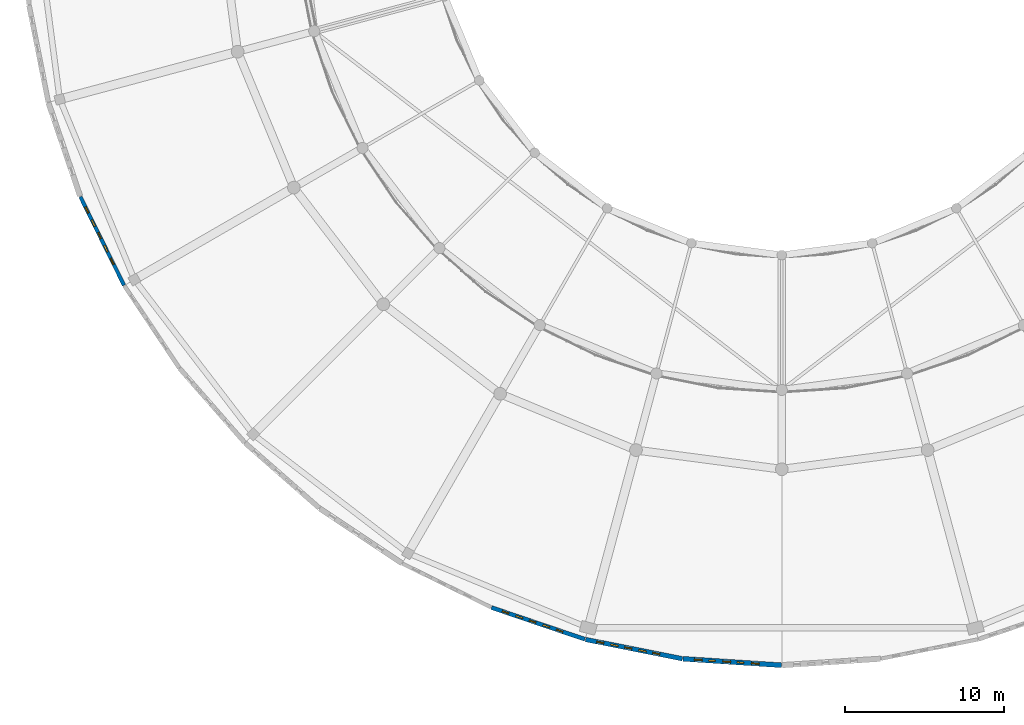
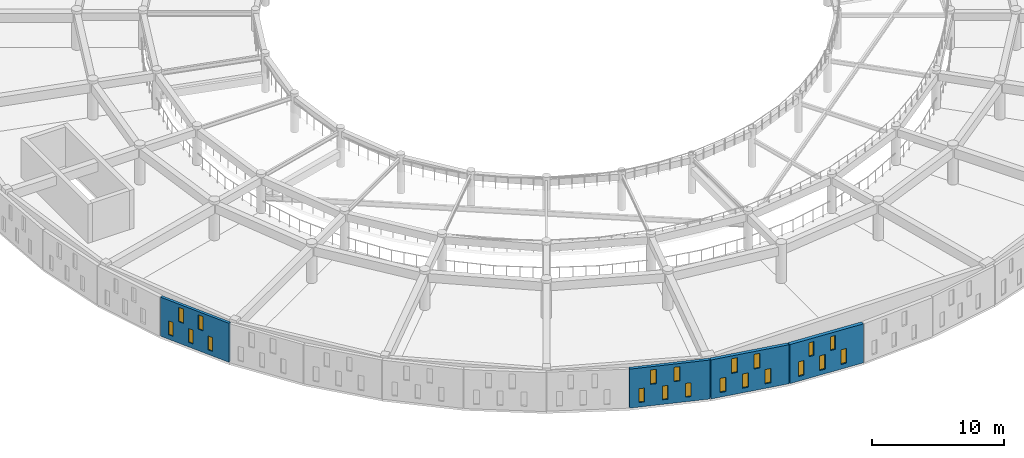
# One storey, part 105 of 155: 20 windows, 4 walls, 20 openings.
"""IFC4 building model written with IfcOpenShell, lengths in metres."""

from ifc_helpers import new_model, si_unit, direction, frame, frame_2d, origin, place, context, subcontext, project, spatial, rectangle, extrude, material, layer, layer_set, type_object, element, fill, save


model = new_model("IFC4")

# Units and contexts
model_context = context("Model", 3, precision=1e-05, world=origin(), true_north=direction((0.0, 1.0)))
body_context = subcontext(model_context, "Body", "Model", "MODEL_VIEW")
ifc_project = project(units=[si_unit("LENGTHUNIT", "METRE"), si_unit("AREAUNIT", "SQUARE_METRE"), si_unit("VOLUMEUNIT", "CUBIC_METRE"), si_unit("PLANEANGLEUNIT", "RADIAN"), si_unit("MASSUNIT", "GRAM", prefix="KILO")], contexts=[model_context])

# Site, building, storey
site_placement = place(None, origin())
site = spatial("IfcSite", under=ifc_project, at=site_placement, CompositionType="ELEMENT")
building_placement = place(site_placement, origin())
building = spatial("IfcBuilding", under=site, at=building_placement, Name="Larkveld Mobility Hub", CompositionType="ELEMENT")
storey_placement = place(building_placement, frame((0.0, 0.0, 8.39990234375)))
storey = spatial("IfcBuildingStorey", under=building, at=storey_placement, Name="L02", CompositionType="ELEMENT", Elevation=8.39990234375)

# Wall, openings, windows
ifc_material_1 = material(Name="Fired clay brick 25 MPa", Category="masonry")
ifc_layer_1 = layer(ifc_material_1, 0.22998046875, Name="Fired clay brick 25 MPa", Category="masonry")
ifc_layer_set_1 = layer_set([ifc_layer_1], Name="Fired clay brick 25 MPa")
wall_type_1 = type_object("IfcWallType", Name="WL-BRK-230", PredefinedType="USERDEFINED", material=ifc_layer_set_1)
wall_1_placement = place(storey_placement, frame((3.802978515625, 29.6669921875, 0.0), z_axis=(0.0, 0.0, 1.0), x_axis=(0.442316740488, -0.896858908126, 0.0)))
wall_1 = element("IfcWall", 1, at=wall_1_placement, inside=storey, type_object=wall_type_1, Name="Drum Woven Open-Bond Brick Chord L02-0118", ObjectType="PERFORATED BRICK SCREEN", PredefinedType="USERDEFINED", context=body_context, shape_type="SweptSolid", body=[
    extrude(rectangle(XDim=6.210693359375, YDim=0.22998046875, at=frame_2d((3.10546875, 0.0))), origin(), (0.0, 0.0, 1.0), 3.60009765625),
])
opening_1_placement = place(wall_1_placement, frame((0.719970703125, 0.0, 0.419921875)))
opening_1 = element("IfcOpeningElement", 2, at=opening_1_placement, cuts=wall_1, Name="Opening W01", PredefinedType="OPENING", context=body_context, shape_type="SweptSolid", body=[
    extrude(rectangle(XDim=0.419921875, YDim=1.280029296875, at=frame_2d((0.2099609375, 0.64013671875))), frame((0.0, 0.125, 0.0), z_axis=(0.0, -1.0, 0.0), x_axis=(1.0, 0.0, 0.0)), (0.0, 0.0, 1.0), 0.25),
])
opening_2_placement = place(wall_1_placement, frame((2.52001953125, 0.0, 0.419921875)))
opening_2 = element("IfcOpeningElement", 3, at=opening_2_placement, cuts=wall_1, Name="Opening W01", PredefinedType="OPENING", context=body_context, shape_type="SweptSolid", body=[
    extrude(rectangle(XDim=0.419921875, YDim=1.280029296875, at=frame_2d((0.2099609375, 0.64013671875))), frame((0.0, 0.125, 0.0), z_axis=(0.0, -1.0, 0.0), x_axis=(1.0, 0.0, 0.0)), (0.0, 0.0, 1.0), 0.25),
])
opening_3_placement = place(wall_1_placement, frame((4.320068359375, 0.0, 0.419921875)))
opening_3 = element("IfcOpeningElement", 4, at=opening_3_placement, cuts=wall_1, Name="Opening W01", PredefinedType="OPENING", context=body_context, shape_type="SweptSolid", body=[
    extrude(rectangle(XDim=0.419921875, YDim=1.280029296875, at=frame_2d((0.2099609375, 0.64013671875))), frame((0.0, 0.125, 0.0), z_axis=(0.0, -1.0, 0.0), x_axis=(1.0, 0.0, 0.0)), (0.0, 0.0, 1.0), 0.25),
])
opening_4_placement = place(wall_1_placement, frame((1.6201171875, 0.0, 1.97998046875)))
opening_4 = element("IfcOpeningElement", 5, at=opening_4_placement, cuts=wall_1, Name="Opening W02", PredefinedType="OPENING", context=body_context, shape_type="SweptSolid", body=[
    extrude(rectangle(XDim=0.449951171875, YDim=1.320068359375, at=frame_2d((0.22509765625, 0.66015625))), frame((0.0, 0.125, 0.0), z_axis=(0.0, -1.0, 0.0), x_axis=(1.0, 0.0, 0.0)), (0.0, 0.0, 1.0), 0.25),
])
opening_5_placement = place(wall_1_placement, frame((3.419921875, 0.0, 1.97998046875)))
opening_5 = element("IfcOpeningElement", 6, at=opening_5_placement, cuts=wall_1, Name="Opening W02", PredefinedType="OPENING", context=body_context, shape_type="SweptSolid", body=[
    extrude(rectangle(XDim=0.449951171875, YDim=1.320068359375, at=frame_2d((0.22509765625, 0.66015625))), frame((0.0, 0.125, 0.0), z_axis=(0.0, -1.0, 0.0), x_axis=(1.0, 0.0, 0.0)), (0.0, 0.0, 1.0), 0.25),
])
ifc_material_2 = material(Name="Extruded aluminium ventilation grille", Category="aluminium")
window_type_1 = type_object("IfcWindowType", Name="WN-VENT-01", PartitioningType="SINGLE_PANEL", PredefinedType="WINDOW", material=ifc_material_2)
window_1_placement = place(opening_1_placement, origin())
window_1 = element("IfcWindow", 7, at=window_1_placement, inside=storey, type_object=window_type_1, Name="Window W01 (0576)", OverallHeight=1.280029296875, OverallWidth=0.419921875, PartitioningType="SINGLE_PANEL", PredefinedType="WINDOW", context=body_context, shape_type="SweptSolid", body=[
    extrude(rectangle(XDim=0.419921875, YDim=1.280029296875, at=frame_2d((0.2099609375, 0.64013671875))), frame((0.0, 0.030029296875, 0.0), z_axis=(0.0, -1.0, 0.0), x_axis=(1.0, 0.0, 0.0)), (0.0, 0.0, 1.0), 0.06005859375),
])
fill(opening_1, window_1)
window_2_placement = place(opening_2_placement, origin())
window_2 = element("IfcWindow", 8, at=window_2_placement, inside=storey, type_object=window_type_1, Name="Window W01 (0577)", OverallHeight=1.280029296875, OverallWidth=0.419921875, PartitioningType="SINGLE_PANEL", PredefinedType="WINDOW", context=body_context, shape_type="SweptSolid", body=[
    extrude(rectangle(XDim=0.419921875, YDim=1.280029296875, at=frame_2d((0.2099609375, 0.64013671875))), frame((0.0, 0.030029296875, 0.0), z_axis=(0.0, -1.0, 0.0), x_axis=(1.0, 0.0, 0.0)), (0.0, 0.0, 1.0), 0.06005859375),
])
fill(opening_2, window_2)
window_3_placement = place(opening_3_placement, origin())
window_3 = element("IfcWindow", 9, at=window_3_placement, inside=storey, type_object=window_type_1, Name="Window W01 (0578)", OverallHeight=1.280029296875, OverallWidth=0.419921875, PartitioningType="SINGLE_PANEL", PredefinedType="WINDOW", context=body_context, shape_type="SweptSolid", body=[
    extrude(rectangle(XDim=0.419921875, YDim=1.280029296875, at=frame_2d((0.2099609375, 0.64013671875))), frame((0.0, 0.030029296875, 0.0), z_axis=(0.0, -1.0, 0.0), x_axis=(1.0, 0.0, 0.0)), (0.0, 0.0, 1.0), 0.06005859375),
])
fill(opening_3, window_3)
window_type_2 = type_object("IfcWindowType", Name="WN-VENT-02", PartitioningType="SINGLE_PANEL", PredefinedType="WINDOW", material=ifc_material_2)
window_4_placement = place(opening_4_placement, origin())
window_4 = element("IfcWindow", 10, at=window_4_placement, inside=storey, type_object=window_type_2, Name="Window W02 (0579)", OverallHeight=1.320068359375, OverallWidth=0.449951171875, PartitioningType="SINGLE_PANEL", PredefinedType="WINDOW", context=body_context, shape_type="SweptSolid", body=[
    extrude(rectangle(XDim=0.449951171875, YDim=1.320068359375, at=frame_2d((0.22509765625, 0.66015625))), frame((0.0, 0.030029296875, 0.0), z_axis=(0.0, -1.0, 0.0), x_axis=(1.0, 0.0, 0.0)), (0.0, 0.0, 1.0), 0.06005859375),
])
fill(opening_4, window_4)
window_5_placement = place(opening_5_placement, origin())
window_5 = element("IfcWindow", 11, at=window_5_placement, inside=storey, type_object=window_type_2, Name="Window W02 (0580)", OverallHeight=1.320068359375, OverallWidth=0.449951171875, PartitioningType="SINGLE_PANEL", PredefinedType="WINDOW", context=body_context, shape_type="SweptSolid", body=[
    extrude(rectangle(XDim=0.449951171875, YDim=1.320068359375, at=frame_2d((0.22509765625, 0.66015625))), frame((0.0, 0.030029296875, 0.0), z_axis=(0.0, -1.0, 0.0), x_axis=(1.0, 0.0, 0.0)), (0.0, 0.0, 1.0), 0.06005859375),
])
fill(opening_5, window_5)

ifc_layer_2 = layer(ifc_material_1, 0.260009765625, Name="Fired clay brick 25 MPa", Category="masonry")
ifc_layer_set_2 = layer_set([ifc_layer_2], Name="Fired clay brick 25 MPa")
wall_type_2 = type_object("IfcWallType", Name="WL-BRK-260", PredefinedType="USERDEFINED", material=ifc_layer_set_2)
wall_2_placement = place(storey_placement, frame((29.7119140625, 3.783935546875, 0.0), z_axis=(0.0, 0.0, 1.0), x_axis=(0.946955417172, -0.321364960579, 0.0)))
wall_2 = element("IfcWall", 12, at=wall_2_placement, inside=storey, type_object=wall_type_2, Name="Drum Woven Open-Bond Brick Chord L02-0124", ObjectType="PERFORATED BRICK SCREEN", PredefinedType="USERDEFINED", context=body_context, shape_type="SweptSolid", body=[
    extrude(rectangle(XDim=6.21044921875, YDim=0.260009765625, at=frame_2d((3.105224609375, 0.0))), origin(), (0.0, 0.0, 1.0), 3.60009765625),
])
opening_6_placement = place(wall_2_placement, frame((0.719970703125, 0.0, 0.419921875)))
opening_6 = element("IfcOpeningElement", 13, at=opening_6_placement, cuts=wall_2, Name="Opening W01", PredefinedType="OPENING", context=body_context, shape_type="SweptSolid", body=[
    extrude(rectangle(XDim=0.419921875, YDim=1.280029296875, at=frame_2d((0.2099609375, 0.64013671875))), frame((0.0, 0.14013671875, 0.0), z_axis=(0.0, -1.0, 0.0), x_axis=(1.0, 0.0, 0.0)), (0.0, 0.0, 1.0), 0.280029296875),
])
opening_7_placement = place(wall_2_placement, frame((2.52001953125, 0.0, 0.419921875)))
opening_7 = element("IfcOpeningElement", 14, at=opening_7_placement, cuts=wall_2, Name="Opening W01", PredefinedType="OPENING", context=body_context, shape_type="SweptSolid", body=[
    extrude(rectangle(XDim=0.419921875, YDim=1.280029296875, at=frame_2d((0.2099609375, 0.64013671875))), frame((0.0, 0.14013671875, 0.0), z_axis=(0.0, -1.0, 0.0), x_axis=(1.0, 0.0, 0.0)), (0.0, 0.0, 1.0), 0.280029296875),
])
opening_8_placement = place(wall_2_placement, frame((4.320068359375, 0.0, 0.419921875)))
opening_8 = element("IfcOpeningElement", 15, at=opening_8_placement, cuts=wall_2, Name="Opening W01", PredefinedType="OPENING", context=body_context, shape_type="SweptSolid", body=[
    extrude(rectangle(XDim=0.419921875, YDim=1.280029296875, at=frame_2d((0.2099609375, 0.64013671875))), frame((0.0, 0.14013671875, 0.0), z_axis=(0.0, -1.0, 0.0), x_axis=(1.0, 0.0, 0.0)), (0.0, 0.0, 1.0), 0.280029296875),
])
opening_9_placement = place(wall_2_placement, frame((1.6201171875, 0.0, 1.97998046875)))
opening_9 = element("IfcOpeningElement", 16, at=opening_9_placement, cuts=wall_2, Name="Opening W02", PredefinedType="OPENING", context=body_context, shape_type="SweptSolid", body=[
    extrude(rectangle(XDim=0.449951171875, YDim=1.320068359375, at=frame_2d((0.22509765625, 0.66015625))), frame((0.0, 0.14013671875, 0.0), z_axis=(0.0, -1.0, 0.0), x_axis=(1.0, 0.0, 0.0)), (0.0, 0.0, 1.0), 0.280029296875),
])
opening_10_placement = place(wall_2_placement, frame((3.419921875, 0.0, 1.97998046875)))
opening_10 = element("IfcOpeningElement", 17, at=opening_10_placement, cuts=wall_2, Name="Opening W02", PredefinedType="OPENING", context=body_context, shape_type="SweptSolid", body=[
    extrude(rectangle(XDim=0.449951171875, YDim=1.320068359375, at=frame_2d((0.22509765625, 0.66015625))), frame((0.0, 0.14013671875, 0.0), z_axis=(0.0, -1.0, 0.0), x_axis=(1.0, 0.0, 0.0)), (0.0, 0.0, 1.0), 0.280029296875),
])
window_6_placement = place(opening_6_placement, origin())
window_6 = element("IfcWindow", 18, at=window_6_placement, inside=storey, type_object=window_type_1, Name="Window W01 (0606)", OverallHeight=1.280029296875, OverallWidth=0.419921875, PartitioningType="SINGLE_PANEL", PredefinedType="WINDOW", context=body_context, shape_type="SweptSolid", body=[
    extrude(rectangle(XDim=0.419921875, YDim=1.280029296875, at=frame_2d((0.2099609375, 0.64013671875))), frame((0.0, 0.030029296875, 0.0), z_axis=(0.0, -1.0, 0.0), x_axis=(1.0, 0.0, 0.0)), (0.0, 0.0, 1.0), 0.06005859375),
])
fill(opening_6, window_6)
window_7_placement = place(opening_7_placement, origin())
window_7 = element("IfcWindow", 19, at=window_7_placement, inside=storey, type_object=window_type_1, Name="Window W01 (0607)", OverallHeight=1.280029296875, OverallWidth=0.419921875, PartitioningType="SINGLE_PANEL", PredefinedType="WINDOW", context=body_context, shape_type="SweptSolid", body=[
    extrude(rectangle(XDim=0.419921875, YDim=1.280029296875, at=frame_2d((0.2099609375, 0.64013671875))), frame((0.0, 0.030029296875, 0.0), z_axis=(0.0, -1.0, 0.0), x_axis=(1.0, 0.0, 0.0)), (0.0, 0.0, 1.0), 0.06005859375),
])
fill(opening_7, window_7)
window_8_placement = place(opening_8_placement, origin())
window_8 = element("IfcWindow", 20, at=window_8_placement, inside=storey, type_object=window_type_1, Name="Window W01 (0608)", OverallHeight=1.280029296875, OverallWidth=0.419921875, PartitioningType="SINGLE_PANEL", PredefinedType="WINDOW", context=body_context, shape_type="SweptSolid", body=[
    extrude(rectangle(XDim=0.419921875, YDim=1.280029296875, at=frame_2d((0.2099609375, 0.64013671875))), frame((0.0, 0.030029296875, 0.0), z_axis=(0.0, -1.0, 0.0), x_axis=(1.0, 0.0, 0.0)), (0.0, 0.0, 1.0), 0.06005859375),
])
fill(opening_8, window_8)
window_9_placement = place(opening_9_placement, origin())
window_9 = element("IfcWindow", 21, at=window_9_placement, inside=storey, type_object=window_type_2, Name="Window W02 (0609)", OverallHeight=1.320068359375, OverallWidth=0.449951171875, PartitioningType="SINGLE_PANEL", PredefinedType="WINDOW", context=body_context, shape_type="SweptSolid", body=[
    extrude(rectangle(XDim=0.449951171875, YDim=1.320068359375, at=frame_2d((0.22509765625, 0.66015625))), frame((0.0, 0.030029296875, 0.0), z_axis=(0.0, -1.0, 0.0), x_axis=(1.0, 0.0, 0.0)), (0.0, 0.0, 1.0), 0.06005859375),
])
fill(opening_9, window_9)
window_10_placement = place(opening_10_placement, origin())
window_10 = element("IfcWindow", 22, at=window_10_placement, inside=storey, type_object=window_type_2, Name="Window W02 (0610)", OverallHeight=1.320068359375, OverallWidth=0.449951171875, PartitioningType="SINGLE_PANEL", PredefinedType="WINDOW", context=body_context, shape_type="SweptSolid", body=[
    extrude(rectangle(XDim=0.449951171875, YDim=1.320068359375, at=frame_2d((0.22509765625, 0.66015625))), frame((0.0, 0.030029296875, 0.0), z_axis=(0.0, -1.0, 0.0), x_axis=(1.0, 0.0, 0.0)), (0.0, 0.0, 1.0), 0.06005859375),
])
fill(opening_10, window_10)

ifc_layer_3 = layer(ifc_material_1, 0.2900390625, Name="Fired clay brick 25 MPa", Category="masonry")
ifc_layer_set_3 = layer_set([ifc_layer_3], Name="Fired clay brick 25 MPa")
wall_type_3 = type_object("IfcWallType", Name="WL-BRK-290", PredefinedType="USERDEFINED", material=ifc_layer_set_3)
wall_3_placement = place(storey_placement, frame((35.639892578125, 1.77490234375, 0.0), z_axis=(0.0, 0.0, 1.0), x_axis=(0.980799338869, -0.195019632022, 0.0)))
wall_3 = element("IfcWall", 23, at=wall_3_placement, inside=storey, type_object=wall_type_3, Name="Drum Woven Open-Bond Brick Chord L02-0125", ObjectType="PERFORATED BRICK SCREEN", PredefinedType="USERDEFINED", context=body_context, shape_type="SweptSolid", body=[
    extrude(rectangle(XDim=6.209228515625, YDim=0.2900390625, at=frame_2d((3.1044921875, 0.0))), origin(), (0.0, 0.0, 1.0), 3.60009765625),
])
opening_11_placement = place(wall_3_placement, frame((0.719970703125, 0.0, 0.419921875)))
opening_11 = element("IfcOpeningElement", 24, at=opening_11_placement, cuts=wall_3, Name="Opening W02", PredefinedType="OPENING", context=body_context, shape_type="SweptSolid", body=[
    extrude(rectangle(XDim=0.449951171875, YDim=1.320068359375, at=frame_2d((0.22509765625, 0.66015625))), frame((0.0, 0.155029296875, 0.0), z_axis=(0.0, -1.0, 0.0), x_axis=(1.0, 0.0, 0.0)), (0.0, 0.0, 1.0), 0.31005859375),
])
opening_12_placement = place(wall_3_placement, frame((2.52001953125, 0.0, 0.419921875)))
opening_12 = element("IfcOpeningElement", 25, at=opening_12_placement, cuts=wall_3, Name="Opening W02", PredefinedType="OPENING", context=body_context, shape_type="SweptSolid", body=[
    extrude(rectangle(XDim=0.449951171875, YDim=1.320068359375, at=frame_2d((0.22509765625, 0.66015625))), frame((0.0, 0.155029296875, 0.0), z_axis=(0.0, -1.0, 0.0), x_axis=(1.0, 0.0, 0.0)), (0.0, 0.0, 1.0), 0.31005859375),
])
opening_13_placement = place(wall_3_placement, frame((4.320068359375, 0.0, 0.419921875)))
opening_13 = element("IfcOpeningElement", 26, at=opening_13_placement, cuts=wall_3, Name="Opening W02", PredefinedType="OPENING", context=body_context, shape_type="SweptSolid", body=[
    extrude(rectangle(XDim=0.449951171875, YDim=1.320068359375, at=frame_2d((0.22509765625, 0.66015625))), frame((0.0, 0.155029296875, 0.0), z_axis=(0.0, -1.0, 0.0), x_axis=(1.0, 0.0, 0.0)), (0.0, 0.0, 1.0), 0.31005859375),
])
opening_14_placement = place(wall_3_placement, frame((1.6201171875, 0.0, 1.97998046875)))
opening_14 = element("IfcOpeningElement", 27, at=opening_14_placement, cuts=wall_3, Name="Opening W03", PredefinedType="OPENING", context=body_context, shape_type="SweptSolid", body=[
    extrude(rectangle(XDim=0.47998046875, YDim=1.360107421875, at=frame_2d((0.239990234375, 0.68017578125))), frame((0.0, 0.155029296875, 0.0), z_axis=(0.0, -1.0, 0.0), x_axis=(1.0, 0.0, 0.0)), (0.0, 0.0, 1.0), 0.31005859375),
])
opening_15_placement = place(wall_3_placement, frame((3.419921875, 0.0, 1.97998046875)))
opening_15 = element("IfcOpeningElement", 28, at=opening_15_placement, cuts=wall_3, Name="Opening W03", PredefinedType="OPENING", context=body_context, shape_type="SweptSolid", body=[
    extrude(rectangle(XDim=0.47998046875, YDim=1.360107421875, at=frame_2d((0.239990234375, 0.68017578125))), frame((0.0, 0.155029296875, 0.0), z_axis=(0.0, -1.0, 0.0), x_axis=(1.0, 0.0, 0.0)), (0.0, 0.0, 1.0), 0.31005859375),
])
window_11_placement = place(opening_11_placement, origin())
window_11 = element("IfcWindow", 29, at=window_11_placement, inside=storey, type_object=window_type_2, Name="Window W02 (0611)", OverallHeight=1.320068359375, OverallWidth=0.449951171875, PartitioningType="SINGLE_PANEL", PredefinedType="WINDOW", context=body_context, shape_type="SweptSolid", body=[
    extrude(rectangle(XDim=0.449951171875, YDim=1.320068359375, at=frame_2d((0.22509765625, 0.66015625))), frame((0.0, 0.030029296875, 0.0), z_axis=(0.0, -1.0, 0.0), x_axis=(1.0, 0.0, 0.0)), (0.0, 0.0, 1.0), 0.06005859375),
])
fill(opening_11, window_11)
window_12_placement = place(opening_12_placement, origin())
window_12 = element("IfcWindow", 30, at=window_12_placement, inside=storey, type_object=window_type_2, Name="Window W02 (0612)", OverallHeight=1.320068359375, OverallWidth=0.449951171875, PartitioningType="SINGLE_PANEL", PredefinedType="WINDOW", context=body_context, shape_type="SweptSolid", body=[
    extrude(rectangle(XDim=0.449951171875, YDim=1.320068359375, at=frame_2d((0.22509765625, 0.66015625))), frame((0.0, 0.030029296875, 0.0), z_axis=(0.0, -1.0, 0.0), x_axis=(1.0, 0.0, 0.0)), (0.0, 0.0, 1.0), 0.06005859375),
])
fill(opening_12, window_12)
window_13_placement = place(opening_13_placement, origin())
window_13 = element("IfcWindow", 31, at=window_13_placement, inside=storey, type_object=window_type_2, Name="Window W02 (0613)", OverallHeight=1.320068359375, OverallWidth=0.449951171875, PartitioningType="SINGLE_PANEL", PredefinedType="WINDOW", context=body_context, shape_type="SweptSolid", body=[
    extrude(rectangle(XDim=0.449951171875, YDim=1.320068359375, at=frame_2d((0.22509765625, 0.66015625))), frame((0.0, 0.030029296875, 0.0), z_axis=(0.0, -1.0, 0.0), x_axis=(1.0, 0.0, 0.0)), (0.0, 0.0, 1.0), 0.06005859375),
])
fill(opening_13, window_13)
window_type_3 = type_object("IfcWindowType", Name="WN-VENT-03", PartitioningType="SINGLE_PANEL", PredefinedType="WINDOW", material=ifc_material_2)
window_14_placement = place(opening_14_placement, origin())
window_14 = element("IfcWindow", 32, at=window_14_placement, inside=storey, type_object=window_type_3, Name="Window W03 (0614)", OverallHeight=1.360107421875, OverallWidth=0.47998046875, PartitioningType="SINGLE_PANEL", PredefinedType="WINDOW", context=body_context, shape_type="SweptSolid", body=[
    extrude(rectangle(XDim=0.47998046875, YDim=1.360107421875, at=frame_2d((0.239990234375, 0.68017578125))), frame((0.0, 0.030029296875, 0.0), z_axis=(0.0, -1.0, 0.0), x_axis=(1.0, 0.0, 0.0)), (0.0, 0.0, 1.0), 0.06005859375),
])
fill(opening_14, window_14)
window_15_placement = place(opening_15_placement, origin())
window_15 = element("IfcWindow", 33, at=window_15_placement, inside=storey, type_object=window_type_3, Name="Window W03 (0615)", OverallHeight=1.360107421875, OverallWidth=0.47998046875, PartitioningType="SINGLE_PANEL", PredefinedType="WINDOW", context=body_context, shape_type="SweptSolid", body=[
    extrude(rectangle(XDim=0.47998046875, YDim=1.360107421875, at=frame_2d((0.239990234375, 0.68017578125))), frame((0.0, 0.030029296875, 0.0), z_axis=(0.0, -1.0, 0.0), x_axis=(1.0, 0.0, 0.0)), (0.0, 0.0, 1.0), 0.06005859375),
])
fill(opening_15, window_15)

ifc_layer_4 = layer(ifc_material_1, 0.31005859375, Name="Fired clay brick 25 MPa", Category="masonry")
ifc_layer_set_4 = layer_set([ifc_layer_4], Name="Fired clay brick 25 MPa")
wall_type_4 = type_object("IfcWallType", Name="WL-BRK-310", PredefinedType="USERDEFINED", material=ifc_layer_set_4)
wall_4_placement = place(storey_placement, frame((41.778076171875, 0.556884765625, 0.0), z_axis=(0.0, 0.0, 1.0), x_axis=(0.997874164219, -0.065170180182, 0.0)))
wall_4 = element("IfcWall", 34, at=wall_4_placement, inside=storey, type_object=wall_type_4, Name="Drum Woven Open-Bond Brick Chord L02-0126", ObjectType="PERFORATED BRICK SCREEN", PredefinedType="USERDEFINED", context=body_context, shape_type="SweptSolid", body=[
    extrude(rectangle(XDim=6.211181640625, YDim=0.31005859375, at=frame_2d((3.10546875, 0.0))), origin(), (0.0, 0.0, 1.0), 3.60009765625),
])
opening_16_placement = place(wall_4_placement, frame((0.719970703125, 0.0, 0.419921875)))
opening_16 = element("IfcOpeningElement", 35, at=opening_16_placement, cuts=wall_4, Name="Opening W03", PredefinedType="OPENING", context=body_context, shape_type="SweptSolid", body=[
    extrude(rectangle(XDim=0.47998046875, YDim=1.360107421875, at=frame_2d((0.239990234375, 0.68017578125))), frame((0.0, 0.1650390625, 0.0), z_axis=(0.0, -1.0, 0.0), x_axis=(1.0, 0.0, 0.0)), (0.0, 0.0, 1.0), 0.330078125),
])
opening_17_placement = place(wall_4_placement, frame((2.52001953125, 0.0, 0.419921875)))
opening_17 = element("IfcOpeningElement", 36, at=opening_17_placement, cuts=wall_4, Name="Opening W03", PredefinedType="OPENING", context=body_context, shape_type="SweptSolid", body=[
    extrude(rectangle(XDim=0.47998046875, YDim=1.360107421875, at=frame_2d((0.239990234375, 0.68017578125))), frame((0.0, 0.1650390625, 0.0), z_axis=(0.0, -1.0, 0.0), x_axis=(1.0, 0.0, 0.0)), (0.0, 0.0, 1.0), 0.330078125),
])
opening_18_placement = place(wall_4_placement, frame((4.320068359375, 0.0, 0.419921875)))
opening_18 = element("IfcOpeningElement", 37, at=opening_18_placement, cuts=wall_4, Name="Opening W03", PredefinedType="OPENING", context=body_context, shape_type="SweptSolid", body=[
    extrude(rectangle(XDim=0.47998046875, YDim=1.360107421875, at=frame_2d((0.239990234375, 0.68017578125))), frame((0.0, 0.1650390625, 0.0), z_axis=(0.0, -1.0, 0.0), x_axis=(1.0, 0.0, 0.0)), (0.0, 0.0, 1.0), 0.330078125),
])
opening_19_placement = place(wall_4_placement, frame((1.6201171875, 0.0, 1.97998046875)))
opening_19 = element("IfcOpeningElement", 38, at=opening_19_placement, cuts=wall_4, Name="Opening W01", PredefinedType="OPENING", context=body_context, shape_type="SweptSolid", body=[
    extrude(rectangle(XDim=0.419921875, YDim=1.280029296875, at=frame_2d((0.2099609375, 0.64013671875))), frame((0.0, 0.1650390625, 0.0), z_axis=(0.0, -1.0, 0.0), x_axis=(1.0, 0.0, 0.0)), (0.0, 0.0, 1.0), 0.330078125),
])
opening_20_placement = place(wall_4_placement, frame((3.419921875, 0.0, 1.97998046875)))
opening_20 = element("IfcOpeningElement", 39, at=opening_20_placement, cuts=wall_4, Name="Opening W01", PredefinedType="OPENING", context=body_context, shape_type="SweptSolid", body=[
    extrude(rectangle(XDim=0.419921875, YDim=1.280029296875, at=frame_2d((0.2099609375, 0.64013671875))), frame((0.0, 0.1650390625, 0.0), z_axis=(0.0, -1.0, 0.0), x_axis=(1.0, 0.0, 0.0)), (0.0, 0.0, 1.0), 0.330078125),
])
window_16_placement = place(opening_19_placement, origin())
window_16 = element("IfcWindow", 40, at=window_16_placement, inside=storey, type_object=window_type_1, Name="Window W01 (0619)", OverallHeight=1.280029296875, OverallWidth=0.419921875, PartitioningType="SINGLE_PANEL", PredefinedType="WINDOW", context=body_context, shape_type="SweptSolid", body=[
    extrude(rectangle(XDim=0.419921875, YDim=1.280029296875, at=frame_2d((0.2099609375, 0.64013671875))), frame((0.0, 0.030029296875, 0.0), z_axis=(0.0, -1.0, 0.0), x_axis=(1.0, 0.0, 0.0)), (0.0, 0.0, 1.0), 0.06005859375),
])
fill(opening_19, window_16)
window_17_placement = place(opening_20_placement, origin())
window_17 = element("IfcWindow", 41, at=window_17_placement, inside=storey, type_object=window_type_1, Name="Window W01 (0620)", OverallHeight=1.280029296875, OverallWidth=0.419921875, PartitioningType="SINGLE_PANEL", PredefinedType="WINDOW", context=body_context, shape_type="SweptSolid", body=[
    extrude(rectangle(XDim=0.419921875, YDim=1.280029296875, at=frame_2d((0.2099609375, 0.64013671875))), frame((0.0, 0.030029296875, 0.0), z_axis=(0.0, -1.0, 0.0), x_axis=(1.0, 0.0, 0.0)), (0.0, 0.0, 1.0), 0.06005859375),
])
fill(opening_20, window_17)
window_18_placement = place(opening_16_placement, origin())
window_18 = element("IfcWindow", 42, at=window_18_placement, inside=storey, type_object=window_type_3, Name="Window W03 (0616)", OverallHeight=1.360107421875, OverallWidth=0.47998046875, PartitioningType="SINGLE_PANEL", PredefinedType="WINDOW", context=body_context, shape_type="SweptSolid", body=[
    extrude(rectangle(XDim=0.47998046875, YDim=1.360107421875, at=frame_2d((0.239990234375, 0.68017578125))), frame((0.0, 0.030029296875, 0.0), z_axis=(0.0, -1.0, 0.0), x_axis=(1.0, 0.0, 0.0)), (0.0, 0.0, 1.0), 0.06005859375),
])
fill(opening_16, window_18)
window_19_placement = place(opening_17_placement, origin())
window_19 = element("IfcWindow", 43, at=window_19_placement, inside=storey, type_object=window_type_3, Name="Window W03 (0617)", OverallHeight=1.360107421875, OverallWidth=0.47998046875, PartitioningType="SINGLE_PANEL", PredefinedType="WINDOW", context=body_context, shape_type="SweptSolid", body=[
    extrude(rectangle(XDim=0.47998046875, YDim=1.360107421875, at=frame_2d((0.239990234375, 0.68017578125))), frame((0.0, 0.030029296875, 0.0), z_axis=(0.0, -1.0, 0.0), x_axis=(1.0, 0.0, 0.0)), (0.0, 0.0, 1.0), 0.06005859375),
])
fill(opening_17, window_19)
window_20_placement = place(opening_18_placement, origin())
window_20 = element("IfcWindow", 44, at=window_20_placement, inside=storey, type_object=window_type_3, Name="Window W03 (0618)", OverallHeight=1.360107421875, OverallWidth=0.47998046875, PartitioningType="SINGLE_PANEL", PredefinedType="WINDOW", context=body_context, shape_type="SweptSolid", body=[
    extrude(rectangle(XDim=0.47998046875, YDim=1.360107421875, at=frame_2d((0.239990234375, 0.68017578125))), frame((0.0, 0.030029296875, 0.0), z_axis=(0.0, -1.0, 0.0), x_axis=(1.0, 0.0, 0.0)), (0.0, 0.0, 1.0), 0.06005859375),
])
fill(opening_18, window_20)

save(model, "model.ifc")
